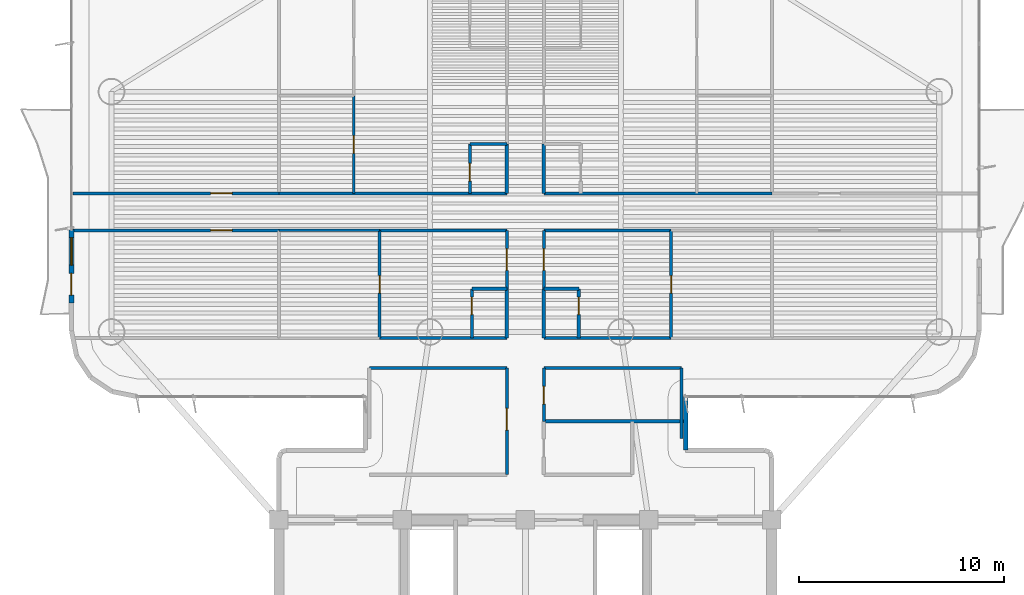
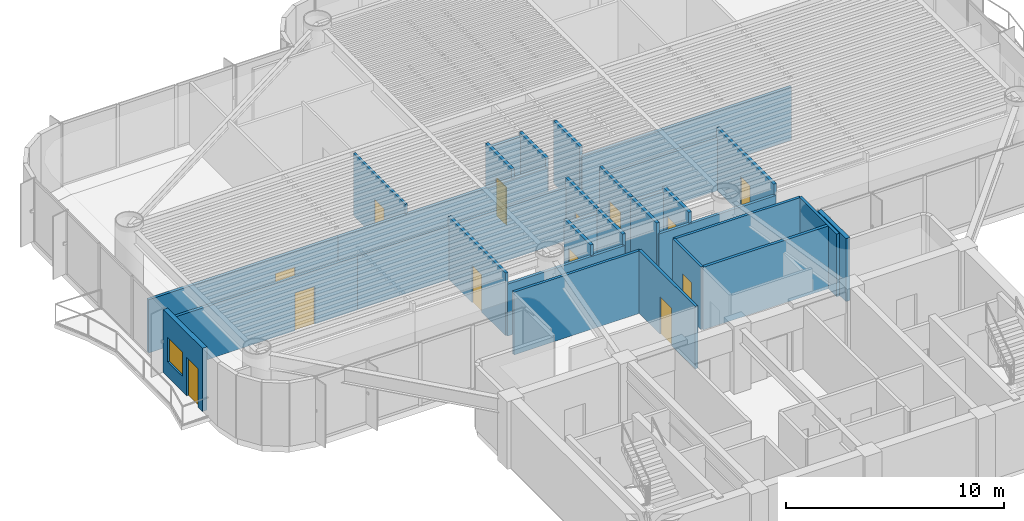
# One storey, part 10 of 17: 32 walls, 13 doors, 1 window, 14 openings.
"""IFC4 building model written with IfcOpenShell, lengths in metres."""

from ifc_helpers import new_model, si_unit, direction, frame, frame_2d, origin, origin_2d, place, context, subcontext, project, spatial, rectangle, extrude, source, transform, mapped, material, layer, layer_set, type_object, element, fill, save


model = new_model("IFC4")

# Units and contexts
model_context = context("Model", 3, precision=1e-05, world=origin(), true_north=direction((0.0, 1.0)))
body_context = subcontext(model_context, "Body", "Model", "MODEL_VIEW")
ifc_project = project(units=[si_unit("LENGTHUNIT", "METRE"), si_unit("AREAUNIT", "SQUARE_METRE"), si_unit("VOLUMEUNIT", "CUBIC_METRE"), si_unit("PLANEANGLEUNIT", "RADIAN"), si_unit("MASSUNIT", "GRAM", prefix="KILO")], contexts=[model_context])

# Site, building, storey
site_placement = place(None, origin())
site = spatial("IfcSite", under=ifc_project, at=site_placement, CompositionType="ELEMENT")
building_placement = place(site_placement, origin())
building = spatial("IfcBuilding", under=site, at=building_placement, Name="Brelvock Crest Care Tower", CompositionType="ELEMENT")
storey_placement = place(building_placement, frame((0.0, 0.0, 89.820068359375)))
storey = spatial("IfcBuildingStorey", under=building, at=storey_placement, Name="L22", CompositionType="ELEMENT", Elevation=89.820068359375)

# Wall, openings, door, window
ifc_material_1 = material(Name="Precast concrete N40 (40 MPa)", Category="concrete")
ifc_layer_1 = layer(ifc_material_1, 0.239990234375, Name="WL-EX1")
ifc_layer_set_1 = layer_set([ifc_layer_1], Name="Precast concrete N40 (40 MPa)")
wall_type_1 = type_object("IfcWallType", Name="WL-EX1", PredefinedType="SOLIDWALL", material=ifc_layer_set_1)
wall_1_placement = place(storey_placement, frame((13.89990234375, 28.550048828125, 0.0), z_axis=(0.0, 0.0, 1.0), x_axis=(0.0, 1.0, 0.0)))
wall_1 = element("IfcWall", 1, at=wall_1_placement, inside=storey, type_object=wall_type_1, Name="L22 Exterior Spandrel Wall WL-BAL-L22-W", PredefinedType="SOLIDWALL", context=body_context, shape_type="SweptSolid", body=[
    extrude(rectangle(XDim=3.599853515625, YDim=0.239990234375, at=frame_2d((1.7998046875, 0.0))), origin(), (0.0, 0.0, 1.0), 3.530029296875),
])
opening_1_placement = place(wall_1_placement, frame((0.39990234375, 0.0, 0.0)))
opening_1 = element("IfcOpeningElement", 2, at=opening_1_placement, cuts=wall_1, Name="Opening BD-1", PredefinedType="OPENING", context=body_context, shape_type="SweptSolid", body=[
    extrude(rectangle(XDim=1.050048828125, YDim=2.14990234375, at=origin_2d()), frame((0.52490234375, 0.1298828125, 1.074951171875), z_axis=(0.0, -1.0, 0.0), x_axis=(1.0, 0.0, 0.0)), (0.0, 0.0, 1.0), 0.260009765625),
])
opening_2_placement = place(wall_1_placement, frame((1.85009765625, 0.0, 0.85009765625)))
opening_2 = element("IfcOpeningElement", 3, at=opening_2_placement, cuts=wall_1, Name="Opening W-01", PredefinedType="OPENING", context=body_context, shape_type="SweptSolid", body=[
    extrude(rectangle(XDim=1.35009765625, YDim=1.35009765625, at=origin_2d()), frame((0.675048828125, 0.1298828125, 0.675048828125), z_axis=(0.0, -1.0, 0.0), x_axis=(1.0, 0.0, 0.0)), (0.0, 0.0, 1.0), 0.260009765625),
])
ifc_material_2 = material(Name="Dark Glass Double Glazed Low-E", Category="glass")
door_type_1 = type_object("IfcDoorType", Name="DR-BAL1", OperationType="NOTDEFINED", PredefinedType="DOOR", material=ifc_material_2)
shared_shape_1 = source(origin(), body_context, "Body", "SweptSolid", [
    extrude(rectangle(XDim=1.050048828125, YDim=2.14990234375, at=origin_2d()), frame((0.52490234375, 0.02490234375, 1.074951171875), z_axis=(0.0, -1.0, 0.0), x_axis=(1.0, 0.0, 0.0)), (0.0, 0.0, 1.0), 0.050048828125),
])
door_1_placement = place(opening_1_placement, origin())
door_1 = element("IfcDoor", 4, at=door_1_placement, inside=storey, type_object=door_type_1, Name="L22 W Wave Balcony Glazed Door", OperationType="SINGLE_SWING_LEFT", OverallHeight=2.14990234375, OverallWidth=1.050048828125, PredefinedType="DOOR", context=body_context, shape_type="MappedRepresentation", body=[
    mapped(shared_shape_1, transform((0.0, 0.0, 0.0), x_axis=(1.0, 0.0, 0.0), y_axis=(0.0, 1.0, 0.0), z_axis=(0.0, 0.0, 1.0), scale=1.0)),
])
fill(opening_1, door_1)
window_type = type_object("IfcWindowType", Name="WN-EX1", PartitioningType="SINGLE_PANEL", PredefinedType="WINDOW", material=ifc_material_2)
shared_shape_2 = source(origin(), body_context, "Body", "SweptSolid", [
    extrude(rectangle(XDim=1.35009765625, YDim=1.35009765625, at=origin_2d()), frame((0.675048828125, 0.030029296875, 0.675048828125), z_axis=(0.0, -1.0, 0.0), x_axis=(1.0, 0.0, 0.0)), (0.0, 0.0, 1.0), 0.06005859375),
])
window_placement = place(opening_2_placement, origin())
window = element("IfcWindow", 5, at=window_placement, inside=storey, type_object=window_type, Name="L22 W Suite Casement Window", OverallHeight=1.35009765625, OverallWidth=1.35009765625, PartitioningType="SINGLE_PANEL", PredefinedType="WINDOW", context=body_context, shape_type="MappedRepresentation", body=[
    mapped(shared_shape_2, transform((0.0, 0.0, 0.0), x_axis=(1.0, 0.0, 0.0), y_axis=(0.0, 1.0, 0.0), z_axis=(0.0, 0.0, 1.0), scale=1.0)),
])
fill(opening_2, window)

# Walls
ifc_layer_2 = layer(ifc_material_1, 0.215087890625, Name="WL-EX2")
ifc_layer_set_2 = layer_set([ifc_layer_2], Name="Precast concrete N40 (40 MPa)")
wall_type_2 = type_object("IfcWallType", Name="WL-EX2", PredefinedType="SOLIDWALL", material=ifc_layer_set_2)
wall_2_placement = place(storey_placement, frame((43.800048828125, 24.0, 0.0), z_axis=(0.0, 0.0, 1.0), x_axis=(0.0, -1.0, 0.0)))
element("IfcWall", 6, at=wall_2_placement, inside=storey, type_object=wall_type_2, Name="L22 Rounded Corner Wall 45", PredefinedType="SOLIDWALL", context=body_context, shape_type="SweptSolid", body=[
    extrude(rectangle(XDim=2.60009765625, YDim=0.215087890625, at=frame_2d((1.300048828125, 0.0))), origin(), (0.0, 0.0, 1.0), 3.530029296875),
])
ifc_material_3 = material(Name="Masonry Blockwork Acoustic Partition", Category="masonry")
ifc_layer_3 = layer(ifc_material_3, 0.14990234375, Name="WL-INT1")
ifc_layer_set_3 = layer_set([ifc_layer_3], Name="Masonry Blockwork Acoustic Partition")
wall_type_3 = type_object("IfcWallType", Name="WL-INT1", PredefinedType="PARTITIONING", material=ifc_layer_set_3)
for number, where, z_axis, x_axis, name in (
    (7, (28.39990234375, 25.39990234375, 0.0), (0.0, 0.0, 1.0), (1.0, 0.0, 0.0), "L22 Interior Wall WL-BX-L22-THW-N"),
    (8, (36.89990234375, 25.39990234375, 0.0), (0.0, 0.0, 1.0), (1.0, 0.0, 0.0), "L22 Interior Wall WL-BX-L22-THE2-N"),
):
    element("IfcWall", number, at=place(storey_placement, frame(where, z_axis=z_axis, x_axis=x_axis)), inside=storey, type_object=wall_type_3, Name=name, PredefinedType="PARTITIONING", context=body_context, shape_type="SweptSolid", body=[
        extrude(rectangle(XDim=6.7001953125, YDim=0.14990234375, at=frame_2d((3.35009765625, 0.0))), origin(), (0.0, 0.0, 1.0), 3.5),
    ])
for number, where, z_axis, x_axis, name in (
    (9, (28.89990234375, 26.85009765625, 0.0), (0.0, 0.0, 1.0), (1.0, 0.0, 0.0), "L22 Interior Wall WL-BX-L22-CS-ISWI-S"),
    (10, (36.89990234375, 26.85009765625, 0.0), (0.0, 0.0, 1.0), (1.0, 0.0, 0.0), "L22 Interior Wall WL-BX-L22-CS-ISEI-S"),
):
    element("IfcWall", number, at=place(storey_placement, frame(where, z_axis=z_axis, x_axis=x_axis)), inside=storey, type_object=wall_type_3, Name=name, PredefinedType="PARTITIONING", context=body_context, shape_type="SweptSolid", body=[
        extrude(rectangle(XDim=6.2001953125, YDim=0.14990234375, at=frame_2d((3.10009765625, 0.0))), origin(), (0.0, 0.0, 1.0), 2.90283203125),
    ])

# Wall, opening, door
wall_3_placement = place(storey_placement, frame((13.97998046875, 32.10009765625, 0.0), z_axis=(0.0, 0.0, 1.0), x_axis=(1.0, 0.0, 0.0)))
wall_3 = element("IfcWall", 11, at=wall_3_placement, inside=storey, type_object=wall_type_3, Name="L22 Interior Wall WL-RM-L22-ISWO", PredefinedType="PARTITIONING", context=body_context, shape_type="SweptSolid", body=[
    extrude(rectangle(XDim=10.02001953125, YDim=0.14990234375, at=frame_2d((5.010009765625, 0.0))), origin(), (0.0, 0.0, 1.0), 2.98193359375),
])
opening_3_placement = place(wall_3_placement, frame((6.695068359375, 0.0, 0.0)))
opening_3 = element("IfcOpeningElement", 12, at=opening_3_placement, cuts=wall_3, Name="Opening CLD-1", PredefinedType="OPENING", context=body_context, shape_type="SweptSolid", body=[
    extrude(rectangle(XDim=1.050048828125, YDim=2.10009765625, at=origin_2d()), frame((0.52490234375, 0.0849609375, 1.050048828125), z_axis=(0.0, -1.0, 0.0), x_axis=(1.0, 0.0, 0.0)), (0.0, 0.0, 1.0), 0.169921875),
])
ifc_material_4 = material(Name="Engineered Hardwood Timber", Category="wood")
door_type_2 = type_object("IfcDoorType", Name="DR-CLN1", OperationType="NOTDEFINED", PredefinedType="DOOR", material=ifc_material_4)
shared_shape_3 = source(origin(), body_context, "Body", "SweptSolid", [
    extrude(rectangle(XDim=1.050048828125, YDim=2.10009765625, at=origin_2d()), frame((0.52490234375, 0.02490234375, 1.050048828125), z_axis=(0.0, -1.0, 0.0), x_axis=(1.0, 0.0, 0.0)), (0.0, 0.0, 1.0), 0.050048828125),
])
door_2_placement = place(opening_3_placement, origin())
door_2 = element("IfcDoor", 13, at=door_2_placement, inside=storey, type_object=door_type_2, Name="L22 Resident Sun Conservatory Door ISWO", OperationType="SINGLE_SWING_LEFT", OverallHeight=2.10009765625, OverallWidth=1.050048828125, PredefinedType="DOOR", context=body_context, shape_type="MappedRepresentation", body=[
    mapped(shared_shape_3, transform((0.0, 0.0, 0.0), x_axis=(1.0, 0.0, 0.0), y_axis=(0.0, 1.0, 0.0), z_axis=(0.0, 0.0, 1.0), scale=1.0)),
])
fill(opening_3, door_2)

# Walls
for number, where, z_axis, x_axis, name in (
    (14, (28.89990234375, 32.10009765625, 0.0), (0.0, 0.0, 1.0), (1.0, 0.0, 0.0), "L22 Interior Wall WL-BX-L22-CS-ISWI-N"),
    (15, (36.89990234375, 32.10009765625, 0.0), (0.0, 0.0, 1.0), (1.0, 0.0, 0.0), "L22 Interior Wall WL-BX-L22-CS-ISEI-N"),
):
    element("IfcWall", number, at=place(storey_placement, frame(where, z_axis=z_axis, x_axis=x_axis)), inside=storey, type_object=wall_type_3, Name=name, PredefinedType="PARTITIONING", context=body_context, shape_type="SweptSolid", body=[
        extrude(rectangle(XDim=6.2001953125, YDim=0.14990234375, at=frame_2d((3.10009765625, 0.0))), origin(), (0.0, 0.0, 1.0), 2.98193359375),
    ])

# Wall, opening, door
wall_4_placement = place(storey_placement, frame((13.97998046875, 33.89990234375, 0.0), z_axis=(0.0, 0.0, 1.0), x_axis=(1.0, 0.0, 0.0)))
wall_4 = element("IfcWall", 16, at=wall_4_placement, inside=storey, type_object=wall_type_3, Name="L22 Interior Wall WL-RM-L22-INWO", PredefinedType="PARTITIONING", context=body_context, shape_type="SweptSolid", body=[
    extrude(rectangle(XDim=10.02001953125, YDim=0.14990234375, at=frame_2d((5.010009765625, 0.0))), origin(), (0.0, 0.0, 1.0), 2.98193359375),
])
opening_4_placement = place(wall_4_placement, frame((6.695068359375, 0.0, 0.0)))
opening_4 = element("IfcOpeningElement", 17, at=opening_4_placement, cuts=wall_4, Name="Opening CLD-1", PredefinedType="OPENING", context=body_context, shape_type="SweptSolid", body=[
    extrude(rectangle(XDim=1.050048828125, YDim=2.10009765625, at=origin_2d()), frame((0.52490234375, 0.0849609375, 1.050048828125), z_axis=(0.0, -1.0, 0.0), x_axis=(1.0, 0.0, 0.0)), (0.0, 0.0, 1.0), 0.169921875),
])
door_3_placement = place(opening_4_placement, origin())
door_3 = element("IfcDoor", 18, at=door_3_placement, inside=storey, type_object=door_type_2, Name="L22 Resident Sun Conservatory Door INWO", OperationType="SINGLE_SWING_LEFT", OverallHeight=2.10009765625, OverallWidth=1.050048828125, PredefinedType="DOOR", context=body_context, shape_type="MappedRepresentation", body=[
    mapped(shared_shape_3, transform((0.0, 0.0, 0.0), x_axis=(1.0, 0.0, 0.0), y_axis=(0.0, 1.0, 0.0), z_axis=(0.0, 0.0, 1.0), scale=1.0)),
])
fill(opening_4, door_3)

# Walls
for number, where, z_axis, x_axis, name in (
    (19, (24.0, 33.89990234375, 0.0), (0.0, 0.0, 1.0), (1.0, 0.0, 0.0), "L22 Interior Wall WL-BX-L22-FL-INWI-S"),
    (20, (36.89990234375, 33.89990234375, 0.0), (0.0, 0.0, 1.0), (1.0, 0.0, 0.0), "L22 Interior Wall WL-BX-L22-FL-INEI-S"),
):
    element("IfcWall", number, at=place(storey_placement, frame(where, z_axis=z_axis, x_axis=x_axis)), inside=storey, type_object=wall_type_3, Name=name, PredefinedType="PARTITIONING", context=body_context, shape_type="SweptSolid", body=[
        extrude(rectangle(XDim=11.10009765625, YDim=0.14990234375, at=frame_2d((5.550048828125, 0.0))), origin(), (0.0, 0.0, 1.0), 2.98193359375),
    ])

# Wall, opening, door
wall_5_placement = place(storey_placement, frame((28.89990234375, 26.85009765625, 0.0), z_axis=(0.0, 0.0, 1.0), x_axis=(0.0, 1.0, 0.0)))
wall_5 = element("IfcWall", 21, at=wall_5_placement, inside=storey, type_object=wall_type_3, Name="L22 Interior Wall WL-RM-L22-ISWIS", PredefinedType="PARTITIONING", context=body_context, shape_type="SweptSolid", body=[
    extrude(rectangle(XDim=5.25, YDim=0.14990234375, at=frame_2d((2.625, 0.0))), origin(), (0.0, 0.0, 1.0), 3.5),
])
opening_5_placement = place(wall_5_placement, frame((2.18994140625, 0.0, 0.0)))
opening_5 = element("IfcOpeningElement", 22, at=opening_5_placement, cuts=wall_5, Name="Opening ID-1", PredefinedType="OPENING", context=body_context, shape_type="SweptSolid", body=[
    extrude(rectangle(XDim=0.860107421875, YDim=2.10009765625, at=origin_2d()), frame((0.43017578125, 0.0849609375, 1.050048828125), z_axis=(0.0, -1.0, 0.0), x_axis=(1.0, 0.0, 0.0)), (0.0, 0.0, 1.0), 0.169921875),
])
door_type_3 = type_object("IfcDoorType", Name="DR-INT1", OperationType="NOTDEFINED", PredefinedType="DOOR", material=ifc_material_4)
shared_shape_4 = source(origin(), body_context, "Body", "SweptSolid", [
    extrude(rectangle(XDim=0.860107421875, YDim=2.10009765625, at=origin_2d()), frame((0.43017578125, 0.02490234375, 1.050048828125), z_axis=(0.0, -1.0, 0.0), x_axis=(1.0, 0.0, 0.0)), (0.0, 0.0, 1.0), 0.050048828125),
])
door_4_placement = place(opening_5_placement, origin())
door_4 = element("IfcDoor", 23, at=door_4_placement, inside=storey, type_object=door_type_3, Name="L22 Assisted Care Mobility Store Door ISWIS", OperationType="SINGLE_SWING_LEFT", OverallHeight=2.10009765625, OverallWidth=0.860107421875, PredefinedType="DOOR", context=body_context, shape_type="MappedRepresentation", body=[
    mapped(shared_shape_4, transform((0.0, 0.0, 0.0), x_axis=(1.0, 0.0, 0.0), y_axis=(0.0, 1.0, 0.0), z_axis=(0.0, 0.0, 1.0), scale=1.0)),
])
fill(opening_5, door_4)

wall_6_placement = place(storey_placement, frame((35.10009765625, 20.199951171875, 0.0), z_axis=(0.0, 0.0, 1.0), x_axis=(0.0, 1.0, 0.0)))
wall_6 = element("IfcWall", 24, at=wall_6_placement, inside=storey, type_object=wall_type_3, Name="L22 Interior Wall WL-RM-L22-THW", PredefinedType="PARTITIONING", context=body_context, shape_type="SweptSolid", body=[
    extrude(rectangle(XDim=5.199951171875, YDim=0.14990234375, at=frame_2d((2.60009765625, 0.0))), origin(), (0.0, 0.0, 1.0), 3.5),
])
opening_6_placement = place(wall_6_placement, frame((2.175048828125, 0.0, 0.0)))
opening_6 = element("IfcOpeningElement", 25, at=opening_6_placement, cuts=wall_6, Name="Opening CLD-1", PredefinedType="OPENING", context=body_context, shape_type="SweptSolid", body=[
    extrude(rectangle(XDim=1.050048828125, YDim=2.10009765625, at=origin_2d()), frame((0.52490234375, 0.0849609375, 1.050048828125), z_axis=(0.0, -1.0, 0.0), x_axis=(1.0, 0.0, 0.0)), (0.0, 0.0, 1.0), 0.169921875),
])
door_5_placement = place(opening_6_placement, origin())
door_5 = element("IfcDoor", 26, at=door_5_placement, inside=storey, type_object=door_type_2, Name="L22 Allied Health Consultation Room Door THW", OperationType="SINGLE_SWING_LEFT", OverallHeight=2.10009765625, OverallWidth=1.050048828125, PredefinedType="DOOR", context=body_context, shape_type="MappedRepresentation", body=[
    mapped(shared_shape_3, transform((0.0, 0.0, 0.0), x_axis=(1.0, 0.0, 0.0), y_axis=(0.0, 1.0, 0.0), z_axis=(0.0, 0.0, 1.0), scale=1.0)),
])
fill(opening_6, door_5)

wall_7_placement = place(storey_placement, frame((35.10009765625, 29.25, 0.0), z_axis=(0.0, 0.0, 1.0), x_axis=(0.0, 1.0, 0.0)))
wall_7 = element("IfcWall", 27, at=wall_7_placement, inside=storey, type_object=wall_type_3, Name="L22 Interior Wall WL-CENT-L22-ISWI", PredefinedType="PARTITIONING", context=body_context, shape_type="SweptSolid", body=[
    extrude(rectangle(XDim=2.85009765625, YDim=0.14990234375, at=frame_2d((1.425048828125, 0.0))), origin(), (0.0, 0.0, 1.0), 3.5),
])
opening_7_placement = place(wall_7_placement, frame((0.905029296875, 0.0, 0.0)))
opening_7 = element("IfcOpeningElement", 28, at=opening_7_placement, cuts=wall_7, Name="Opening CD-1", PredefinedType="OPENING", context=body_context, shape_type="SweptSolid", body=[
    extrude(rectangle(XDim=1.050048828125, YDim=2.10009765625, at=origin_2d()), frame((0.52490234375, 0.0849609375, 1.050048828125), z_axis=(0.0, -1.0, 0.0), x_axis=(1.0, 0.0, 0.0)), (0.0, 0.0, 1.0), 0.169921875),
])
door_type_4 = type_object("IfcDoorType", Name="DR-CARE1", OperationType="NOTDEFINED", PredefinedType="DOOR", material=ifc_material_4)
shared_shape_5 = source(origin(), body_context, "Body", "SweptSolid", [
    extrude(rectangle(XDim=1.050048828125, YDim=2.10009765625, at=origin_2d()), frame((0.52490234375, 0.02490234375, 1.050048828125), z_axis=(0.0, -1.0, 0.0), x_axis=(1.0, 0.0, 0.0)), (0.0, 0.0, 1.0), 0.050048828125),
])
door_6_placement = place(opening_7_placement, origin())
door_6 = element("IfcDoor", 29, at=door_6_placement, inside=storey, type_object=door_type_4, Name="L22 Care Suite Door ISWI", OperationType="SINGLE_SWING_LEFT", OverallHeight=2.10009765625, OverallWidth=1.050048828125, PredefinedType="DOOR", context=body_context, shape_type="MappedRepresentation", body=[
    mapped(shared_shape_5, transform((0.0, 0.0, 0.0), x_axis=(1.0, 0.0, 0.0), y_axis=(0.0, 1.0, 0.0), z_axis=(0.0, 0.0, 1.0), scale=1.0)),
])
fill(opening_7, door_6)

wall_8_placement = place(storey_placement, frame((36.89990234375, 22.800048828125, 0.0), z_axis=(0.0, 0.0, 1.0), x_axis=(0.0, 1.0, 0.0)))
wall_8 = element("IfcWall", 30, at=wall_8_placement, inside=storey, type_object=wall_type_3, Name="L22 Interior Wall WL-RM-L22-THE2", PredefinedType="PARTITIONING", context=body_context, shape_type="SweptSolid", body=[
    extrude(rectangle(XDim=2.599853515625, YDim=0.14990234375, at=frame_2d((1.2998046875, 0.0))), origin(), (0.0, 0.0, 1.0), 3.5),
])
opening_8_placement = place(wall_8_placement, frame((0.840087890625, 0.0, 0.0)))
opening_8 = element("IfcOpeningElement", 31, at=opening_8_placement, cuts=wall_8, Name="Opening ID-1", PredefinedType="OPENING", context=body_context, shape_type="SweptSolid", body=[
    extrude(rectangle(XDim=0.860107421875, YDim=2.10009765625, at=origin_2d()), frame((0.43017578125, 0.0849609375, 1.050048828125), z_axis=(0.0, -1.0, 0.0), x_axis=(1.0, 0.0, 0.0)), (0.0, 0.0, 1.0), 0.169921875),
])
door_7_placement = place(opening_8_placement, origin())
door_7 = element("IfcDoor", 32, at=door_7_placement, inside=storey, type_object=door_type_3, Name="L22 Care Coordinator Office Door THE2", OperationType="SINGLE_SWING_LEFT", OverallHeight=2.10009765625, OverallWidth=0.860107421875, PredefinedType="DOOR", context=body_context, shape_type="MappedRepresentation", body=[
    mapped(shared_shape_4, transform((0.0, 0.0, 0.0), x_axis=(1.0, 0.0, 0.0), y_axis=(0.0, 1.0, 0.0), z_axis=(0.0, 0.0, 1.0), scale=1.0)),
])
fill(opening_8, door_7)

wall_9_placement = place(storey_placement, frame((36.89990234375, 29.25, 0.0), z_axis=(0.0, 0.0, 1.0), x_axis=(0.0, 1.0, 0.0)))
wall_9 = element("IfcWall", 33, at=wall_9_placement, inside=storey, type_object=wall_type_3, Name="L22 Interior Wall WL-CENT-L22-ISEI", PredefinedType="PARTITIONING", context=body_context, shape_type="SweptSolid", body=[
    extrude(rectangle(XDim=2.85009765625, YDim=0.14990234375, at=frame_2d((1.425048828125, 0.0))), origin(), (0.0, 0.0, 1.0), 3.5),
])
opening_9_placement = place(wall_9_placement, frame((0.905029296875, 0.0, 0.0)))
opening_9 = element("IfcOpeningElement", 34, at=opening_9_placement, cuts=wall_9, Name="Opening CD-1", PredefinedType="OPENING", context=body_context, shape_type="SweptSolid", body=[
    extrude(rectangle(XDim=1.050048828125, YDim=2.10009765625, at=origin_2d()), frame((0.52490234375, 0.0849609375, 1.050048828125), z_axis=(0.0, -1.0, 0.0), x_axis=(1.0, 0.0, 0.0)), (0.0, 0.0, 1.0), 0.169921875),
])
door_8_placement = place(opening_9_placement, origin())
door_8 = element("IfcDoor", 35, at=door_8_placement, inside=storey, type_object=door_type_4, Name="L22 Care Suite Door ISEI", OperationType="SINGLE_SWING_LEFT", OverallHeight=2.10009765625, OverallWidth=1.050048828125, PredefinedType="DOOR", context=body_context, shape_type="MappedRepresentation", body=[
    mapped(shared_shape_5, transform((0.0, 0.0, 0.0), x_axis=(1.0, 0.0, 0.0), y_axis=(0.0, 1.0, 0.0), z_axis=(0.0, 0.0, 1.0), scale=1.0)),
])
fill(opening_9, door_8)

wall_10_placement = place(storey_placement, frame((43.10009765625, 26.85009765625, 0.0), z_axis=(0.0, 0.0, 1.0), x_axis=(0.0, 1.0, 0.0)))
wall_10 = element("IfcWall", 36, at=wall_10_placement, inside=storey, type_object=wall_type_3, Name="L22 Interior Wall WL-RM-L22-ISEIS", PredefinedType="PARTITIONING", context=body_context, shape_type="SweptSolid", body=[
    extrude(rectangle(XDim=5.25, YDim=0.14990234375, at=frame_2d((2.625, 0.0))), origin(), (0.0, 0.0, 1.0), 3.5),
])
opening_10_placement = place(wall_10_placement, frame((2.18994140625, 0.0, 0.0)))
opening_10 = element("IfcOpeningElement", 37, at=opening_10_placement, cuts=wall_10, Name="Opening ID-1", PredefinedType="OPENING", context=body_context, shape_type="SweptSolid", body=[
    extrude(rectangle(XDim=0.860107421875, YDim=2.10009765625, at=origin_2d()), frame((0.43017578125, 0.0849609375, 1.050048828125), z_axis=(0.0, -1.0, 0.0), x_axis=(1.0, 0.0, 0.0)), (0.0, 0.0, 1.0), 0.169921875),
])
door_9_placement = place(opening_10_placement, origin())
door_9 = element("IfcDoor", 38, at=door_9_placement, inside=storey, type_object=door_type_3, Name="L22 Assisted Care Mobility Store Door ISEIS", OperationType="SINGLE_SWING_LEFT", OverallHeight=2.10009765625, OverallWidth=0.860107421875, PredefinedType="DOOR", context=body_context, shape_type="MappedRepresentation", body=[
    mapped(shared_shape_4, transform((0.0, 0.0, 0.0), x_axis=(1.0, 0.0, 0.0), y_axis=(0.0, 1.0, 0.0), z_axis=(0.0, 0.0, 1.0), scale=1.0)),
])
fill(opening_10, door_9)

# Walls
wall_11_placement = place(storey_placement, frame((43.60009765625, 21.95751953125, 0.0), z_axis=(0.0, 0.0, 1.0), x_axis=(0.0, 1.0, 0.0)))
element("IfcWall", 39, at=wall_11_placement, inside=storey, type_object=wall_type_3, Name="L22 Interior Wall WL-BX-L22-THE2-E", PredefinedType="PARTITIONING", context=body_context, shape_type="SweptSolid", body=[
    extrude(rectangle(XDim=3.4423828125, YDim=0.14990234375, at=frame_2d((1.72119140625, 0.0))), origin(), (0.0, 0.0, 1.0), 3.5),
])
ifc_material_5 = material(Name="Gypsum Plasterboard Partition", Category="gypsum")
ifc_layer_4 = layer(ifc_material_5, 0.1201171875, Name="WL-INT2")
ifc_layer_set_4 = layer_set([ifc_layer_4], Name="Gypsum Plasterboard Partition")
wall_type_4 = type_object("IfcWallType", Name="WL-INT2", PredefinedType="PARTITIONING", material=ifc_layer_set_4)
wall_12_placement = place(storey_placement, frame((24.0, 32.10009765625, 0.0), z_axis=(0.0, 0.0, 1.0), x_axis=(1.0, 0.0, 0.0)))
element("IfcWall", 40, at=wall_12_placement, inside=storey, type_object=wall_type_4, Name="L22 Interior Wall WL-BX-L22-ISWIS-N", PredefinedType="PARTITIONING", context=body_context, shape_type="SweptSolid", body=[
    extrude(rectangle(XDim=4.89990234375, YDim=0.1201171875, at=frame_2d((2.449951171875, 0.0))), origin(), (0.0, 0.0, 1.0), 2.98193359375),
])

# Wall, opening, door
wall_13_placement = place(storey_placement, frame((27.64990234375, 33.89990234375, 0.0), z_axis=(0.0, 0.0, 1.0), x_axis=(0.0, 1.0, 0.0)))
wall_13 = element("IfcWall", 41, at=wall_13_placement, inside=storey, type_object=wall_type_4, Name="L22 Interior Wall WL-UBD1-L22-INWI", PredefinedType="PARTITIONING", context=body_context, shape_type="SweptSolid", body=[
    extrude(rectangle(XDim=4.75, YDim=0.1201171875, at=frame_2d((2.375, 0.0))), origin(), (0.0, 0.0, 1.0), 3.5),
])
opening_11_placement = place(wall_13_placement, frame((1.945068359375, 0.0, 0.0)))
opening_11 = element("IfcOpeningElement", 42, at=opening_11_placement, cuts=wall_13, Name="Opening ID-1", PredefinedType="OPENING", context=body_context, shape_type="SweptSolid", body=[
    extrude(rectangle(XDim=0.860107421875, YDim=2.10009765625, at=origin_2d()), frame((0.43017578125, 0.070068359375, 1.050048828125), z_axis=(0.0, -1.0, 0.0), x_axis=(1.0, 0.0, 0.0)), (0.0, 0.0, 1.0), 0.14013671875),
])
door_10_placement = place(opening_11_placement, origin())
door_10 = element("IfcDoor", 43, at=door_10_placement, inside=storey, type_object=door_type_3, Name="L22 Primary Bedroom Door INWI", OperationType="SINGLE_SWING_RIGHT", OverallHeight=2.10009765625, OverallWidth=0.860107421875, PredefinedType="DOOR", context=body_context, shape_type="MappedRepresentation", body=[
    mapped(shared_shape_4, transform((0.0, 0.0, 0.0), x_axis=(1.0, 0.0, 0.0), y_axis=(0.0, 1.0, 0.0), z_axis=(0.0, 0.0, 1.0), scale=1.0)),
])
fill(opening_11, door_10)

# Walls
ifc_layer_5 = layer(ifc_material_5, 0.159912109375, Name="WL-PLM1")
ifc_layer_set_5 = layer_set([ifc_layer_5], Name="Gypsum Plasterboard Partition")
wall_type_5 = type_object("IfcWallType", Name="WL-PLM1", PredefinedType="PLUMBINGWALL", material=ifc_layer_set_5)
wall_14_placement = place(storey_placement, frame((36.89990234375, 22.800048828125, 0.0), z_axis=(0.0, 0.0, 1.0), x_axis=(1.0, 0.0, 0.0)))
element("IfcWall", 44, at=wall_14_placement, inside=storey, type_object=wall_type_5, Name="L22 Interior Wall WL-BX-L22-THE2-S", PredefinedType="PLUMBINGWALL", context=body_context, shape_type="SweptSolid", body=[
    extrude(rectangle(XDim=6.820068359375, YDim=0.159912109375, at=frame_2d((3.41015625, 0.0))), origin(), (0.0, 0.0, 1.0), 3.5),
])
for number, where, z_axis, x_axis, name in (
    (45, (33.39990234375, 29.25, 0.0), (0.0, 0.0, 1.0), (1.0, 0.0, 0.0), "L22 Interior Wall WL-CENS2-L22-ISWI"),
    (46, (36.89990234375, 29.25, 0.0), (0.0, 0.0, 1.0), (1.0, 0.0, 0.0), "L22 Interior Wall WL-CENS2-L22-ISEI"),
):
    element("IfcWall", number, at=place(storey_placement, frame(where, z_axis=z_axis, x_axis=x_axis)), inside=storey, type_object=wall_type_5, Name=name, PredefinedType="PLUMBINGWALL", context=body_context, shape_type="SweptSolid", body=[
        extrude(rectangle(XDim=1.7001953125, YDim=0.159912109375, at=frame_2d((0.85009765625, 0.0))), origin(), (0.0, 0.0, 1.0), 3.259033203125),
    ])
wall_15_placement = place(storey_placement, frame((33.300048828125, 36.300048828125, 0.0), z_axis=(0.0, 0.0, 1.0), x_axis=(1.0, 0.0, 0.0)))
element("IfcWall", 47, at=wall_15_placement, inside=storey, type_object=wall_type_5, Name="L22 Interior Wall WL-UBTH2-L22-INWI", PredefinedType="PLUMBINGWALL", context=body_context, shape_type="SweptSolid", body=[
    extrude(rectangle(XDim=1.800048828125, YDim=0.159912109375, at=frame_2d((0.89990234375, 0.0))), origin(), (0.0, 0.0, 1.0), 3.259033203125),
])

# Wall, opening, door
wall_16_placement = place(storey_placement, frame((33.300048828125, 33.89990234375, 0.0), z_axis=(0.0, 0.0, 1.0), x_axis=(0.0, 1.0, 0.0)))
wall_16 = element("IfcWall", 48, at=wall_16_placement, inside=storey, type_object=wall_type_5, Name="L22 Interior Wall WL-UBTH1-L22-INWI", PredefinedType="PLUMBINGWALL", context=body_context, shape_type="SweptSolid", body=[
    extrude(rectangle(XDim=2.400146484375, YDim=0.159912109375, at=frame_2d((1.2001953125, 0.0))), origin(), (0.0, 0.0, 1.0), 3.5),
])
opening_12_placement = place(wall_16_placement, frame((0.60009765625, 0.0, 0.0)))
opening_12 = element("IfcOpeningElement", 49, at=opening_12_placement, cuts=wall_16, Name="Opening WD-1", PredefinedType="OPENING", context=body_context, shape_type="SweptSolid", body=[
    extrude(rectangle(XDim=0.860107421875, YDim=2.10009765625, at=origin_2d()), frame((0.43017578125, 0.08984375, 1.050048828125), z_axis=(0.0, -1.0, 0.0), x_axis=(1.0, 0.0, 0.0)), (0.0, 0.0, 1.0), 0.179931640625),
])
door_type_5 = type_object("IfcDoorType", Name="DR-WC1", OperationType="NOTDEFINED", PredefinedType="DOOR", material=ifc_material_4)
shared_shape_6 = source(origin(), body_context, "Body", "SweptSolid", [
    extrude(rectangle(XDim=0.860107421875, YDim=2.10009765625, at=origin_2d()), frame((0.43017578125, 0.02490234375, 1.050048828125), z_axis=(0.0, -1.0, 0.0), x_axis=(1.0, 0.0, 0.0)), (0.0, 0.0, 1.0), 0.050048828125),
])
door_11_placement = place(opening_12_placement, origin())
door_11 = element("IfcDoor", 50, at=door_11_placement, inside=storey, type_object=door_type_5, Name="L22 Bathroom Door INWI", OperationType="SINGLE_SWING_LEFT", OverallHeight=2.10009765625, OverallWidth=0.860107421875, PredefinedType="DOOR", context=body_context, shape_type="MappedRepresentation", body=[
    mapped(shared_shape_6, transform((0.0, 0.0, 0.0), x_axis=(1.0, 0.0, 0.0), y_axis=(0.0, 1.0, 0.0), z_axis=(0.0, 0.0, 1.0), scale=1.0)),
])
fill(opening_12, door_11)

wall_17_placement = place(storey_placement, frame((33.39990234375, 26.85009765625, 0.0), z_axis=(0.0, 0.0, 1.0), x_axis=(0.0, 1.0, 0.0)))
wall_17 = element("IfcWall", 51, at=wall_17_placement, inside=storey, type_object=wall_type_5, Name="L22 Interior Wall WL-CENS1-L22-ISWI", PredefinedType="PLUMBINGWALL", context=body_context, shape_type="SweptSolid", body=[
    extrude(rectangle(XDim=2.39990234375, YDim=0.159912109375, at=frame_2d((1.199951171875, 0.0))), origin(), (0.0, 0.0, 1.0), 3.5),
])
opening_13_placement = place(wall_17_placement, frame((1.139892578125, 0.0, 0.0)))
opening_13 = element("IfcOpeningElement", 52, at=opening_13_placement, cuts=wall_17, Name="Opening WD-1", PredefinedType="OPENING", context=body_context, shape_type="SweptSolid", body=[
    extrude(rectangle(XDim=0.860107421875, YDim=2.10009765625, at=origin_2d()), frame((0.43017578125, 0.08984375, 1.050048828125), z_axis=(0.0, -1.0, 0.0), x_axis=(1.0, 0.0, 0.0)), (0.0, 0.0, 1.0), 0.179931640625),
])
door_12_placement = place(opening_13_placement, origin())
door_12 = element("IfcDoor", 53, at=door_12_placement, inside=storey, type_object=door_type_5, Name="L22 Care En-Suite Door ISWI", OperationType="SINGLE_SWING_LEFT", OverallHeight=2.10009765625, OverallWidth=0.860107421875, PredefinedType="DOOR", context=body_context, shape_type="MappedRepresentation", body=[
    mapped(shared_shape_6, transform((0.0, 0.0, 0.0), x_axis=(1.0, 0.0, 0.0), y_axis=(0.0, 1.0, 0.0), z_axis=(0.0, 0.0, 1.0), scale=1.0)),
])
fill(opening_13, door_12)

# Walls
wall_18_placement = place(storey_placement, frame((35.10009765625, 26.85009765625, 0.0), z_axis=(0.0, 0.0, 1.0), x_axis=(0.0, 1.0, 0.0)))
element("IfcWall", 54, at=wall_18_placement, inside=storey, type_object=wall_type_5, Name="L22 Interior Wall WL-CENS0-L22-ISWI", PredefinedType="PLUMBINGWALL", context=body_context, shape_type="SweptSolid", body=[
    extrude(rectangle(XDim=2.39990234375, YDim=0.159912109375, at=frame_2d((1.199951171875, 0.0))), origin(), (0.0, 0.0, 1.0), 3.5),
])
wall_19_placement = place(storey_placement, frame((35.10009765625, 33.89990234375, 0.0), z_axis=(0.0, 0.0, 1.0), x_axis=(0.0, 1.0, 0.0)))
element("IfcWall", 55, at=wall_19_placement, inside=storey, type_object=wall_type_5, Name="L22 Interior Wall WL-UCB-L22-INWI", PredefinedType="PLUMBINGWALL", context=body_context, shape_type="SweptSolid", body=[
    extrude(rectangle(XDim=2.400146484375, YDim=0.159912109375, at=frame_2d((1.2001953125, 0.0))), origin(), (0.0, 0.0, 1.0), 3.5),
])
wall_20_placement = place(storey_placement, frame((36.89990234375, 26.85009765625, 0.0), z_axis=(0.0, 0.0, 1.0), x_axis=(0.0, 1.0, 0.0)))
element("IfcWall", 56, at=wall_20_placement, inside=storey, type_object=wall_type_5, Name="L22 Interior Wall WL-CENS0-L22-ISEI", PredefinedType="PLUMBINGWALL", context=body_context, shape_type="SweptSolid", body=[
    extrude(rectangle(XDim=2.39990234375, YDim=0.159912109375, at=frame_2d((1.199951171875, 0.0))), origin(), (0.0, 0.0, 1.0), 3.5),
])
wall_21_placement = place(storey_placement, frame((36.89990234375, 33.89990234375, 0.0), z_axis=(0.0, 0.0, 1.0), x_axis=(0.0, 1.0, 0.0)))
element("IfcWall", 57, at=wall_21_placement, inside=storey, type_object=wall_type_5, Name="L22 Interior Wall WL-UCB-L22-INEI", PredefinedType="PLUMBINGWALL", context=body_context, shape_type="SweptSolid", body=[
    extrude(rectangle(XDim=2.400146484375, YDim=0.159912109375, at=frame_2d((1.2001953125, 0.0))), origin(), (0.0, 0.0, 1.0), 3.5),
])

# Wall, opening, door
wall_22_placement = place(storey_placement, frame((38.60009765625, 26.85009765625, 0.0), z_axis=(0.0, 0.0, 1.0), x_axis=(0.0, 1.0, 0.0)))
wall_22 = element("IfcWall", 58, at=wall_22_placement, inside=storey, type_object=wall_type_5, Name="L22 Interior Wall WL-CENS1-L22-ISEI", PredefinedType="PLUMBINGWALL", context=body_context, shape_type="SweptSolid", body=[
    extrude(rectangle(XDim=2.39990234375, YDim=0.159912109375, at=frame_2d((1.199951171875, 0.0))), origin(), (0.0, 0.0, 1.0), 3.5),
])
opening_14_placement = place(wall_22_placement, frame((1.139892578125, 0.0, 0.0)))
opening_14 = element("IfcOpeningElement", 59, at=opening_14_placement, cuts=wall_22, Name="Opening WD-1", PredefinedType="OPENING", context=body_context, shape_type="SweptSolid", body=[
    extrude(rectangle(XDim=0.860107421875, YDim=2.10009765625, at=origin_2d()), frame((0.43017578125, 0.08984375, 1.050048828125), z_axis=(0.0, -1.0, 0.0), x_axis=(1.0, 0.0, 0.0)), (0.0, 0.0, 1.0), 0.179931640625),
])
door_13_placement = place(opening_14_placement, origin())
door_13 = element("IfcDoor", 60, at=door_13_placement, inside=storey, type_object=door_type_5, Name="L22 Care En-Suite Door ISEI", OperationType="SINGLE_SWING_RIGHT", OverallHeight=2.10009765625, OverallWidth=0.860107421875, PredefinedType="DOOR", context=body_context, shape_type="MappedRepresentation", body=[
    mapped(shared_shape_6, transform((0.0, 0.0, 0.0), x_axis=(1.0, 0.0, 0.0), y_axis=(0.0, 1.0, 0.0), z_axis=(0.0, 0.0, 1.0), scale=1.0)),
])
fill(opening_14, door_13)

save(model, "model.ifc")
